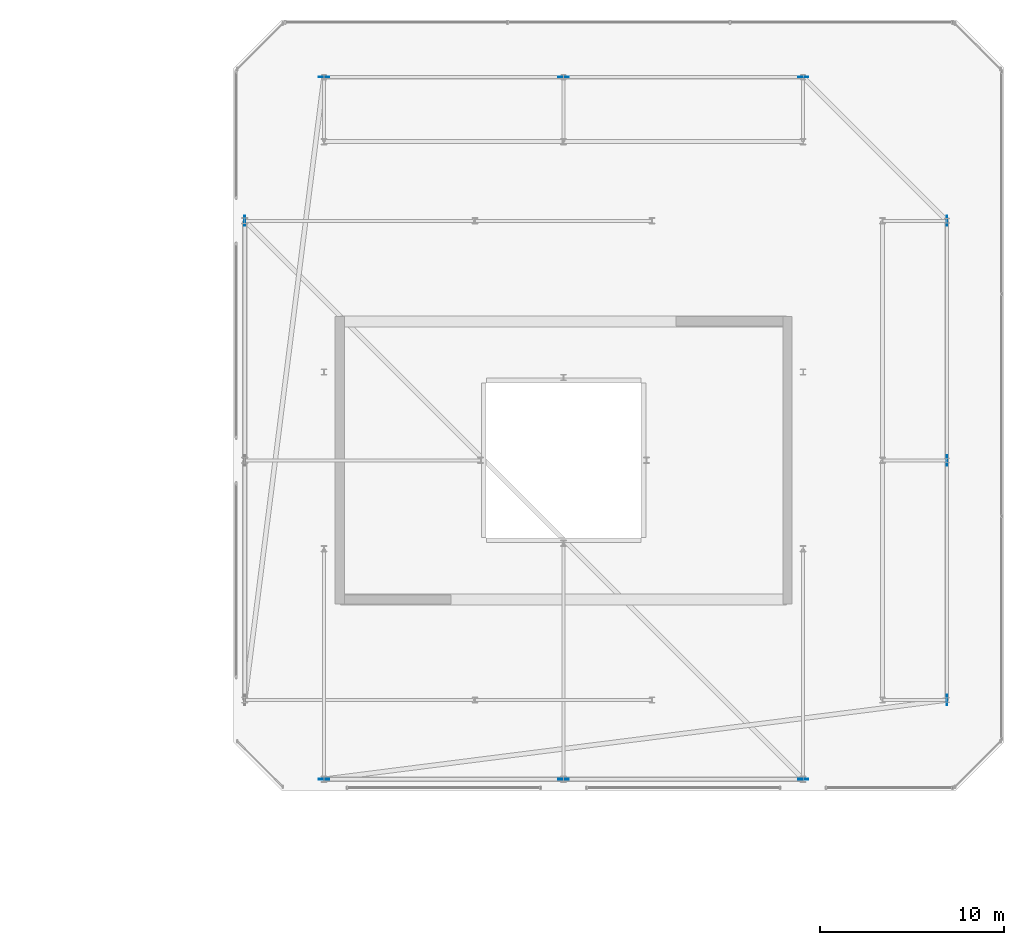
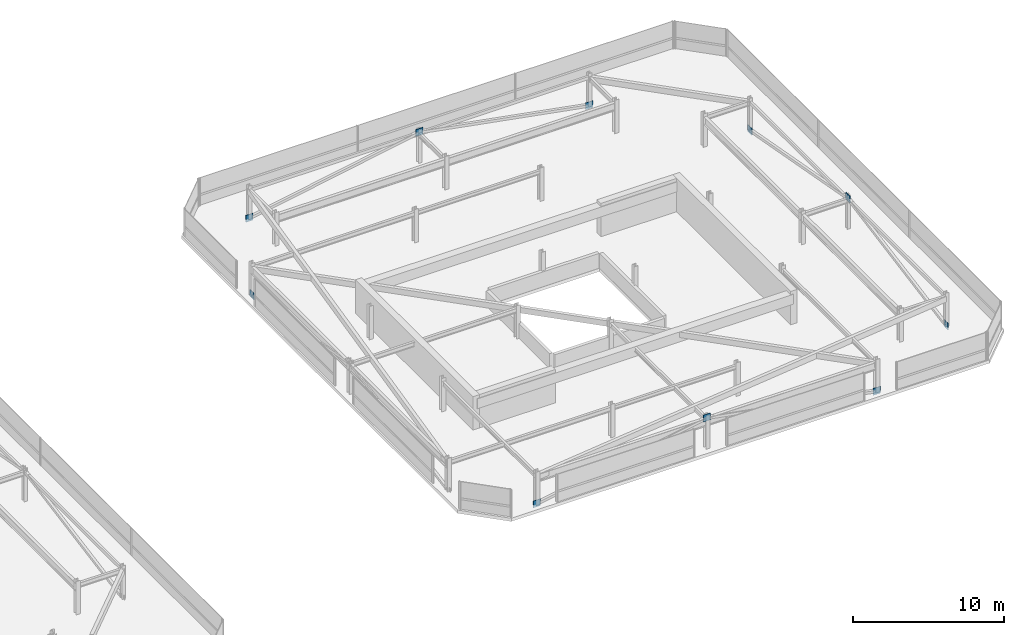
# One storey, part 43 of 44: 10 plates.
"""IFC4 building model written with IfcOpenShell, lengths in metres."""

from ifc_helpers import new_model, si_unit, direction, frame, origin, origin_2d, place, context, subcontext, project, spatial, rectangle, extrude, material, layer, layer_set, type_object, element, save


model = new_model("IFC4")

# Units and contexts
model_context = context("Model", 3, precision=1e-05, world=origin(), true_north=direction((0.0, 1.0)))
body_context = subcontext(model_context, "Body", "Model", "MODEL_VIEW")
ifc_project = project(units=[si_unit("LENGTHUNIT", "METRE"), si_unit("AREAUNIT", "SQUARE_METRE"), si_unit("VOLUMEUNIT", "CUBIC_METRE"), si_unit("PLANEANGLEUNIT", "RADIAN"), si_unit("MASSUNIT", "GRAM", prefix="KILO")], contexts=[model_context])

# Site, building, storey
site_placement = place(None, origin())
site = spatial("IfcSite", under=ifc_project, at=site_placement, CompositionType="ELEMENT")
building_placement = place(site_placement, origin())
building = spatial("IfcBuilding", under=site, at=building_placement, Name="Thornwick Lancets Civic Towers", CompositionType="ELEMENT")
storey_placement = place(building_placement, frame((0.0, 0.0, 292.199951171875)))
storey = spatial("IfcBuildingStorey", under=building, at=storey_placement, Name="C05", CompositionType="ELEMENT", Elevation=292.199951171875)

# Plates
ifc_material = material(Name="Steel S460M", Category="steel")
ifc_layer = layer(ifc_material, 0.0400390625, Name="Steel S460M")
ifc_layer_set = layer_set([ifc_layer], Name="Steel S460M")
plate_type = type_object("IfcPlateType", Name="PLT_GUSSET_40", PredefinedType="USERDEFINED", material=ifc_layer_set)
for number, where, z_axis, x_axis, name in (
    (1, (109.300048828125, 14.0, -0.22509765625), (0.0, 0.0, 1.0), (0.0, 1.0, 0.0), "C05 Brace Connection Gusset Plate 0545"),
    (2, (109.300048828125, 27.0, 2.1650390625), (0.0, 0.0, 1.0), (0.0, 1.0, 0.0), "C05 Brace Connection Gusset Plate 0546"),
    (3, (109.300048828125, 40.0, -0.22509765625), (0.0, 0.0, 1.0), (0.0, -1.0, 0.0), "C05 Brace Connection Gusset Plate 0547"),
    (4, (101.5, 47.800048828125, -0.22509765625), (0.0, 0.0, 1.0), (-1.0, 0.0, 0.0), "C05 Brace Connection Gusset Plate 0548"),
    (5, (88.5, 47.800048828125, 2.1650390625), (0.0, 0.0, 1.0), (-1.0, 0.0, 0.0), "C05 Brace Connection Gusset Plate 0549"),
    (6, (75.5, 47.800048828125, -0.22509765625), (0.0, 0.0, 1.0), (1.0, 0.0, 0.0), "C05 Brace Connection Gusset Plate 0550"),
    (7, (71.199951171875, 40.0, -0.22509765625), (0.0, 0.0, 1.0), (0.0, -1.0, 0.0), "C05 Brace Connection Gusset Plate 0553"),
    (8, (101.5, 9.699951171875, -0.22509765625), (0.0, 0.0, 1.0), (-1.0, 0.0, 0.0), "C05 Brace Connection Gusset Plate 0554"),
    (9, (88.5, 9.699951171875, 2.1650390625), (0.0, 0.0, 1.0), (-1.0, 0.0, 0.0), "C05 Brace Connection Gusset Plate 0555"),
    (10, (75.5, 9.699951171875, -0.22509765625), (0.0, 0.0, 1.0), (1.0, 0.0, 0.0), "C05 Brace Connection Gusset Plate 0556"),
):
    element("IfcPlate", number, at=place(storey_placement, frame(where, z_axis=z_axis, x_axis=x_axis)), inside=storey, type_object=plate_type, Name=name, ObjectType="GUSSET_PLATE", PredefinedType="USERDEFINED", context=body_context, shape_type="SweptSolid", body=[
        extrude(rectangle(XDim=0.550048828125, YDim=0.0400390625, at=origin_2d()), origin(), (0.0, 0.0, 1.0), 0.550048828125),
    ])

save(model, "model.ifc")
